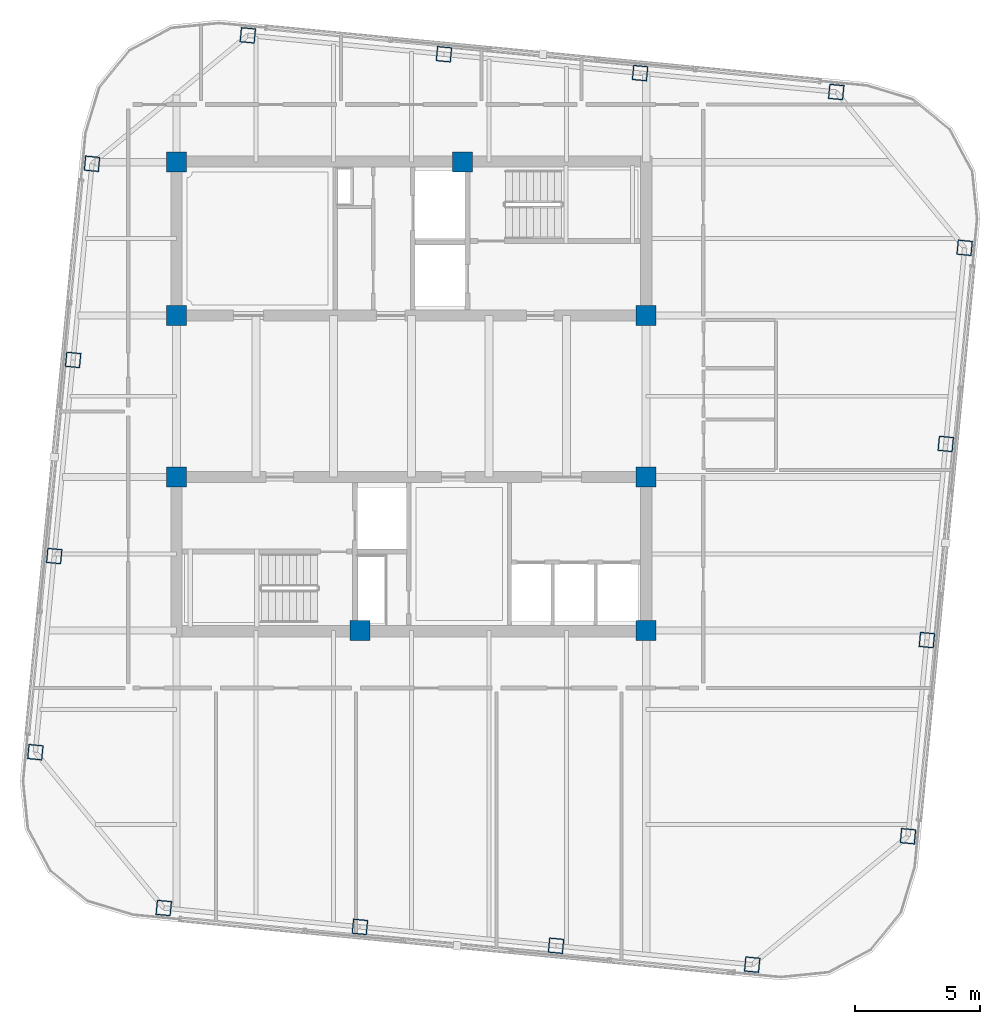
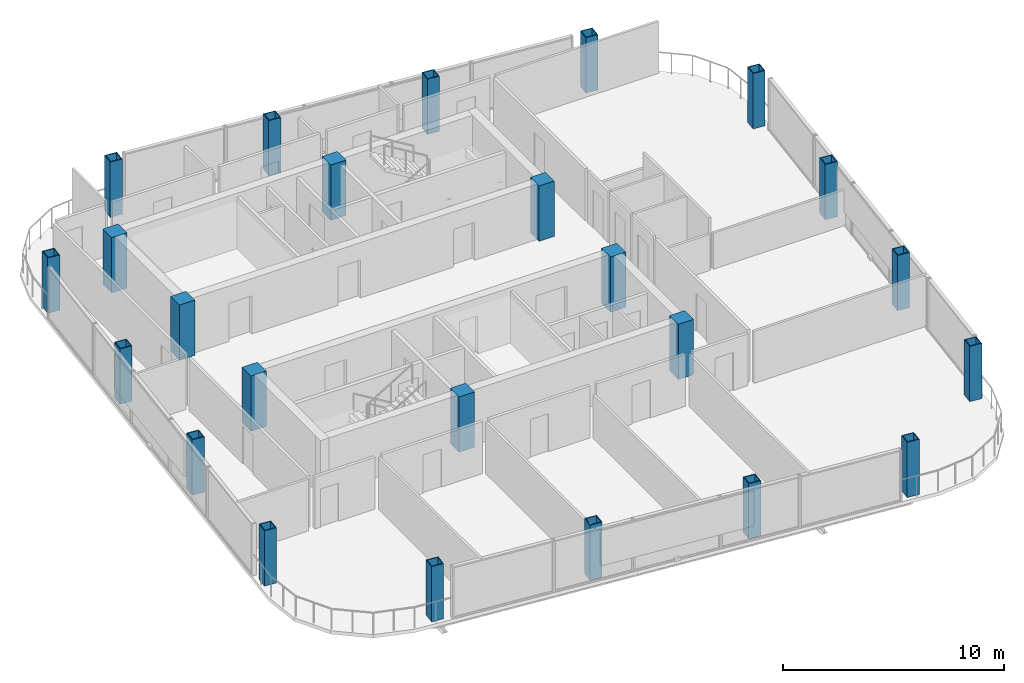
# One storey, part 1 of 22: 24 columns.
"""IFC4 building model written with IfcOpenShell, lengths in metres."""

from ifc_helpers import new_model, si_unit, direction, frame, origin, origin_2d, place, context, subcontext, project, spatial, rectangle, hollow_rectangle, extrude, material, material_profile, profile_set, type_object, element, save


model = new_model("IFC4")

# Units and contexts
model_context = context("Model", 3, precision=1e-05, world=origin(), true_north=direction((0.0, 1.0)))
body_context = subcontext(model_context, "Body", "Model", "MODEL_VIEW")
ifc_project = project(units=[si_unit("LENGTHUNIT", "METRE"), si_unit("AREAUNIT", "SQUARE_METRE"), si_unit("VOLUMEUNIT", "CUBIC_METRE"), si_unit("PLANEANGLEUNIT", "RADIAN"), si_unit("MASSUNIT", "GRAM", prefix="KILO")], contexts=[model_context])

# Site, building, storey
site_placement = place(None, origin())
site = spatial("IfcSite", under=ifc_project, at=site_placement, CompositionType="ELEMENT")
building_placement = place(site_placement, origin())
building = spatial("IfcBuilding", under=site, at=building_placement, Name="Qhalaya Broadcast Tower", CompositionType="ELEMENT")
storey_placement = place(building_placement, frame((0.0, 0.0, 252.0)))
storey = spatial("IfcBuildingStorey", under=building, at=storey_placement, Name="L74", CompositionType="ELEMENT", Elevation=252.0)

# Columns
ifc_material_1 = material(Name="Concrete C50/60", Category="concrete")
ifc_material_profile_1 = material_profile(ifc_material_1, rectangle(XDim=0.800048828125, YDim=0.800048828125, at=origin_2d()), Name="RC-COL 800x800")
ifc_profile_set_1 = profile_set([ifc_material_profile_1], Name="Concrete C50/60")
column_type_1 = type_object("IfcColumnType", Name="RC Upper Column C10", PredefinedType="COLUMN", material=ifc_profile_set_1)
for number, where, z_axis, x_axis, name in (
    (1, (-9.375, 9.949951171875, 0.0), (0.0, 0.0, 1.0), (1.0, 0.0, 0.0), "L74 Column COL-CC1"),
    (2, (2.050048828125, 9.949951171875, 0.0), (0.0, 0.0, 1.0), (1.0, 0.0, 0.0), "L74 Column COL-CC2"),
    (3, (-9.375, 3.824951171875, 0.0), (0.0, 0.0, 1.0), (1.0, 0.0, 0.0), "L74 Column COL-CC3"),
    (4, (9.375, 3.824951171875, 0.0), (0.0, 0.0, 1.0), (1.0, 0.0, 0.0), "L74 Column COL-CC4"),
    (5, (-9.375, -2.625, 0.0), (0.0, 0.0, 1.0), (1.0, 0.0, 0.0), "L74 Column COL-CC5"),
    (6, (9.375, -2.625, 0.0), (0.0, 0.0, 1.0), (1.0, 0.0, 0.0), "L74 Column COL-CC6"),
    (7, (-2.050048828125, -8.75, 0.0), (0.0, 0.0, 1.0), (1.0, 0.0, 0.0), "L74 Column COL-CC7"),
    (8, (9.375, -8.75, 0.0), (0.0, 0.0, 1.0), (1.0, 0.0, 0.0), "L74 Column COL-CC8"),
):
    element("IfcColumn", number, at=place(storey_placement, frame(where, z_axis=z_axis, x_axis=x_axis)), inside=storey, type_object=column_type_1, Name=name, PredefinedType="COLUMN", context=body_context, shape_type="SweptSolid", body=[
        extrude(rectangle(XDim=0.800048828125, YDim=0.800048828125, at=origin_2d()), origin(), (0.0, 0.0, 1.0), 3.050048828125),
    ])
ifc_material_2 = material(Name="Structural Steel ASTM A572 Grade 50", Category="steel")
ifc_material_profile_2 = material_profile(ifc_material_2, hollow_rectangle(XDim=0.60009765625, YDim=0.60009765625, WallThickness=0.0400390625, at=origin_2d()), Name="BOX 600x600x40")
ifc_profile_set_2 = profile_set([ifc_material_profile_2], Name="Structural Steel ASTM A572 Grade 50")
column_type_2 = type_object("IfcColumnType", Name="Steel Box Column C05", PredefinedType="COLUMN", material=ifc_profile_set_2)
for number, where, z_axis, x_axis, name in (
    (9, (-9.883056640625, -19.82861328125, 0.0), (0.0, 0.0, 1.0), (0.995396198367, -0.09584575252, 0.0), "L74 Column COL-EX01"),
    (10, (-2.052490234375, -20.58251953125, 0.0), (0.0, 0.0, 1.0), (0.995396198367, -0.09584575252, 0.0), "L74 Column COL-EX02"),
    (11, (5.77783203125, -21.33642578125, 0.0), (0.0, 0.0, 1.0), (0.995396198367, -0.09584575252, 0.0), "L74 Column COL-EX03"),
    (12, (13.6083984375, -22.09033203125, 0.0), (0.0, 0.0, 1.0), (0.995396198367, -0.09584575252, 0.0), "L74 Column COL-EX04"),
    (13, (19.82861328125, -16.962890625, 0.0), (0.0, 0.0, 1.0), (0.09584575252, 0.995396198367, 0.0), "L74 Column COL-EX05"),
    (14, (20.58251953125, -9.132568359375, 0.0), (0.0, 0.0, 1.0), (0.09584575252, 0.995396198367, 0.0), "L74 Column COL-EX06"),
    (15, (21.33642578125, -1.302001953125, 0.0), (0.0, 0.0, 1.0), (0.09584575252, 0.995396198367, 0.0), "L74 Column COL-EX07"),
    (16, (22.09033203125, 6.5283203125, 0.0), (0.0, 0.0, 1.0), (0.09584575252, 0.995396198367, 0.0), "L74 Column COL-EX08"),
    (17, (16.962890625, 12.74853515625, 0.0), (0.0, 0.0, 1.0), (0.995396198367, -0.09584575252, 0.0), "L74 Column COL-EX09"),
    (18, (9.132568359375, 13.50244140625, 0.0), (0.0, 0.0, 1.0), (0.995396198367, -0.09584575252, 0.0), "L74 Column COL-EX10"),
    (19, (1.302001953125, 14.25634765625, 0.0), (0.0, 0.0, 1.0), (0.995396198367, -0.09584575252, 0.0), "L74 Column COL-EX11"),
    (20, (-6.5283203125, 15.010498046875, 0.0), (0.0, 0.0, 1.0), (0.995396198367, -0.09584575252, 0.0), "L74 Column COL-EX12"),
    (21, (-12.74853515625, 9.883056640625, 0.0), (0.0, 0.0, 1.0), (0.09584575252, 0.995396198367, 0.0), "L74 Column COL-EX13"),
    (22, (-13.50244140625, 2.052490234375, 0.0), (0.0, 0.0, 1.0), (0.09584575252, 0.995396198367, 0.0), "L74 Column COL-EX14"),
    (23, (-14.25634765625, -5.77783203125, 0.0), (0.0, 0.0, 1.0), (0.09584575252, 0.995396198367, 0.0), "L74 Column COL-EX15"),
    (24, (-15.010498046875, -13.6083984375, 0.0), (0.0, 0.0, 1.0), (0.09584575252, 0.995396198367, 0.0), "L74 Column COL-EX16"),
):
    element("IfcColumn", number, at=place(storey_placement, frame(where, z_axis=z_axis, x_axis=x_axis)), inside=storey, type_object=column_type_2, Name=name, PredefinedType="COLUMN", context=body_context, shape_type="SweptSolid", body=[
        extrude(hollow_rectangle(XDim=0.60009765625, YDim=0.60009765625, WallThickness=0.0400390625, at=origin_2d()), origin(), (0.0, 0.0, 1.0), 3.050048828125),
    ])

save(model, "model.ifc")
